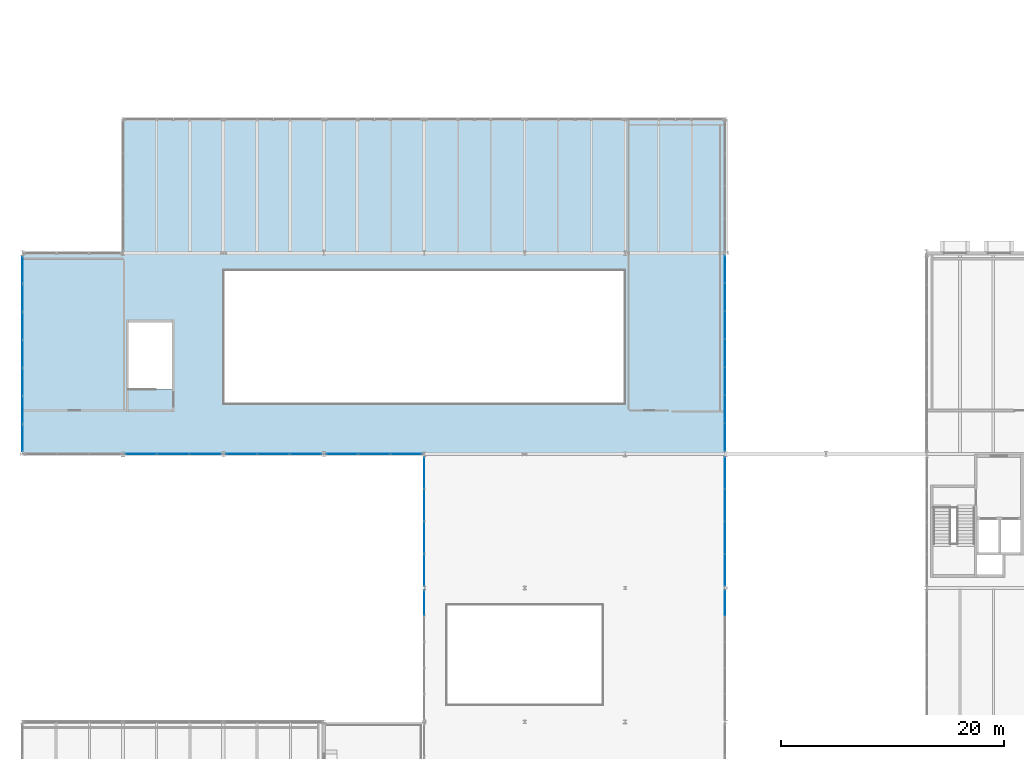
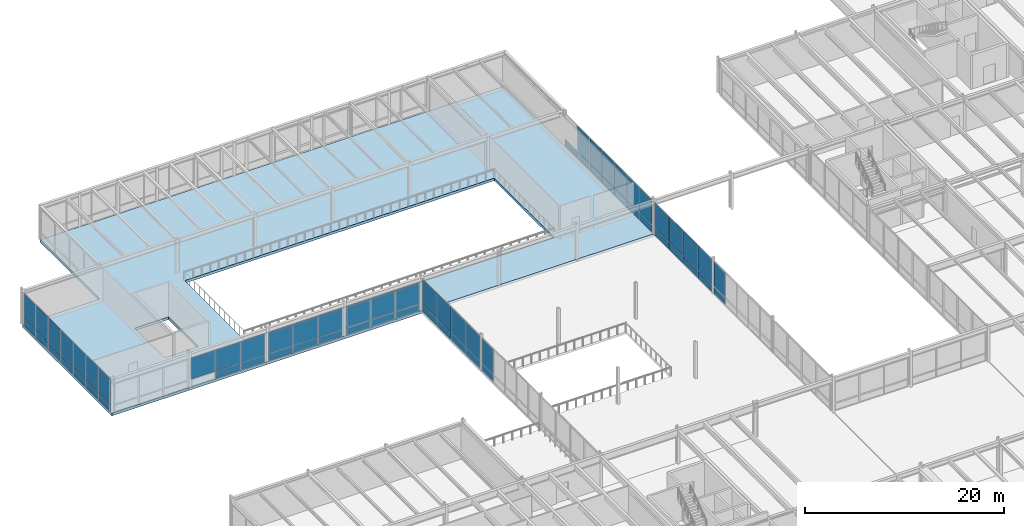
# One storey, part 93 of 115: 64 plates, 1 slab, 9 elements without a shape of their own.
"""IFC4 building model written with IfcOpenShell, lengths in metres."""

from ifc_helpers import new_model, si_unit, direction, frame, origin, origin_2d, place, context, subcontext, project, spatial, polyline, rectangle, outline, extrude, material, layer, layer_set, type_object, element, aggregate, save


model = new_model("IFC4")

# Units and contexts
model_context = context("Model", 3, precision=1e-05, world=origin(), true_north=direction((0.0, 1.0)))
body_context = subcontext(model_context, "Body", "Model", "MODEL_VIEW")
ifc_project = project(units=[si_unit("LENGTHUNIT", "METRE"), si_unit("AREAUNIT", "SQUARE_METRE"), si_unit("VOLUMEUNIT", "CUBIC_METRE"), si_unit("PLANEANGLEUNIT", "RADIAN"), si_unit("MASSUNIT", "GRAM", prefix="KILO")], contexts=[model_context])

# Site, building, storey
site_placement = place(None, origin())
site = spatial("IfcSite", under=ifc_project, at=site_placement, CompositionType="ELEMENT")
building_placement = place(site_placement, origin())
building = spatial("IfcBuilding", under=site, at=building_placement, Name="Montelvaro Courts of Justice", CompositionType="ELEMENT")
storey_placement = place(building_placement, frame((0.0, 0.0, 9.89990234375)))
storey = spatial("IfcBuildingStorey", under=building, at=storey_placement, Name="L02", CompositionType="ELEMENT", Elevation=9.89990234375)

# Curtain wall, plates
ifc_material_1 = material(Name="Anodised aluminium EN AW-6063", Category="aluminium")
ifc_layer_1 = layer(ifc_material_1, 0.159912109375)
ifc_layer_set_1 = layer_set([ifc_layer_1], Name="Anodised aluminium EN AW-6063")
curtain_wall_type_1 = type_object("IfcCurtainWallType", Name="CurtainWall_14_867x418", PredefinedType="USERDEFINED", material=ifc_layer_set_1)
curtain_wall_1_placement = place(storey_placement, origin())
curtain_wall_1 = element("IfcCurtainWall", 1, at=curtain_wall_1_placement, inside=storey, type_object=curtain_wall_type_1, Name="Curtain Wall CW-14 (L02)", ObjectType="CURTAIN WALL", PredefinedType="USERDEFINED")
ifc_material_2 = material(Name="Low-E solar control double glazing", Category="glass")
ifc_layer_2 = layer(ifc_material_2, 0.028076171875)
ifc_layer_set_2 = layer_set([ifc_layer_2], Name="Low-E solar control double glazing")
plate_type = type_object("IfcPlateType", Name="CurtainWall_Glazed_Panel_28", PredefinedType="CURTAIN_PANEL", material=ifc_layer_set_2)
plate_1_placement = place(storey_placement, frame((28.626220703125, 78.0, 0.97998046875), z_axis=(0.0, 0.0, 1.0), x_axis=(1.0, 0.0, 0.0)))
plate_1 = element("IfcPlate", 2, at=plate_1_placement, type_object=plate_type, Name="CW-14 panel 1.2", PredefinedType="CURTAIN_PANEL", context=body_context, shape_type="SweptSolid", body=[
    extrude(rectangle(XDim=2.79248046875, YDim=0.028076171875, at=origin_2d()), origin(), (0.0, 0.0, 1.0), 2.554931640625),
])
plate_2_placement = place(storey_placement, frame((31.5, 78.0, 0.06005859375), z_axis=(0.0, 0.0, 1.0), x_axis=(1.0, 0.0, 0.0)))
plate_2 = element("IfcPlate", 3, at=plate_2_placement, type_object=plate_type, Name="CW-14 panel 2.1", PredefinedType="CURTAIN_PANEL", context=body_context, shape_type="SweptSolid", body=[
    extrude(rectangle(XDim=2.824951171875, YDim=0.028076171875, at=origin_2d()), origin(), (0.0, 0.0, 1.0), 0.860107421875),
])
plate_3_placement = place(storey_placement, frame((31.5, 78.0, 0.97998046875), z_axis=(0.0, 0.0, 1.0), x_axis=(1.0, 0.0, 0.0)))
plate_3 = element("IfcPlate", 4, at=plate_3_placement, type_object=plate_type, Name="CW-14 panel 2.2", PredefinedType="CURTAIN_PANEL", context=body_context, shape_type="SweptSolid", body=[
    extrude(rectangle(XDim=2.824951171875, YDim=0.028076171875, at=origin_2d()), origin(), (0.0, 0.0, 1.0), 2.554931640625),
])
plate_4_placement = place(storey_placement, frame((34.373779296875, 78.0, 0.06005859375), z_axis=(0.0, 0.0, 1.0), x_axis=(1.0, 0.0, 0.0)))
plate_4 = element("IfcPlate", 5, at=plate_4_placement, type_object=plate_type, Name="CW-14 panel 3.1", PredefinedType="CURTAIN_PANEL", context=body_context, shape_type="SweptSolid", body=[
    extrude(rectangle(XDim=2.79248046875, YDim=0.028076171875, at=origin_2d()), origin(), (0.0, 0.0, 1.0), 0.860107421875),
])
plate_5_placement = place(storey_placement, frame((34.373779296875, 78.0, 0.97998046875), z_axis=(0.0, 0.0, 1.0), x_axis=(1.0, 0.0, 0.0)))
plate_5 = element("IfcPlate", 6, at=plate_5_placement, type_object=plate_type, Name="CW-14 panel 3.2", PredefinedType="CURTAIN_PANEL", context=body_context, shape_type="SweptSolid", body=[
    extrude(rectangle(XDim=2.79248046875, YDim=0.028076171875, at=origin_2d()), origin(), (0.0, 0.0, 1.0), 2.554931640625),
])
aggregate(curtain_wall_1, [plate_1, plate_2, plate_3, plate_4, plate_5])

curtain_wall_2_placement = place(storey_placement, origin())
curtain_wall_2 = element("IfcCurtainWall", 7, at=curtain_wall_2_placement, inside=storey, type_object=curtain_wall_type_1, Name="Curtain Wall CW-14 (L02)", ObjectType="CURTAIN WALL", PredefinedType="USERDEFINED")
plate_6_placement = place(storey_placement, frame((37.628662109375, 78.0, 0.0751953125), z_axis=(0.0, 0.0, 1.0), x_axis=(1.0, 0.0, 0.0)))
plate_6 = element("IfcPlate", 8, at=plate_6_placement, type_object=plate_type, Name="CW-14 panel 1.1", PredefinedType="CURTAIN_PANEL", context=body_context, shape_type="SweptSolid", body=[
    extrude(rectangle(XDim=2.777587890625, YDim=0.028076171875, at=origin_2d()), origin(), (0.0, 0.0, 1.0), 0.83740234375),
])
plate_7_placement = place(storey_placement, frame((37.628662109375, 78.0, 0.98779296875), z_axis=(0.0, 0.0, 1.0), x_axis=(1.0, 0.0, 0.0)))
plate_7 = element("IfcPlate", 9, at=plate_7_placement, type_object=plate_type, Name="CW-14 panel 1.2", PredefinedType="CURTAIN_PANEL", context=body_context, shape_type="SweptSolid", body=[
    extrude(rectangle(XDim=2.777587890625, YDim=0.028076171875, at=origin_2d()), origin(), (0.0, 0.0, 1.0), 2.532470703125),
])
plate_8_placement = place(storey_placement, frame((40.5, 78.0, 0.0751953125), z_axis=(0.0, 0.0, 1.0), x_axis=(1.0, 0.0, 0.0)))
plate_8 = element("IfcPlate", 10, at=plate_8_placement, type_object=plate_type, Name="CW-14 panel 2.1", PredefinedType="CURTAIN_PANEL", context=body_context, shape_type="SweptSolid", body=[
    extrude(rectangle(XDim=2.81494140625, YDim=0.028076171875, at=origin_2d()), origin(), (0.0, 0.0, 1.0), 0.83740234375),
])
plate_9_placement = place(storey_placement, frame((40.5, 78.0, 0.98779296875), z_axis=(0.0, 0.0, 1.0), x_axis=(1.0, 0.0, 0.0)))
plate_9 = element("IfcPlate", 11, at=plate_9_placement, type_object=plate_type, Name="CW-14 panel 2.2", PredefinedType="CURTAIN_PANEL", context=body_context, shape_type="SweptSolid", body=[
    extrude(rectangle(XDim=2.81494140625, YDim=0.028076171875, at=origin_2d()), origin(), (0.0, 0.0, 1.0), 2.532470703125),
])
plate_10_placement = place(storey_placement, frame((43.371337890625, 78.0, 0.0751953125), z_axis=(0.0, 0.0, 1.0), x_axis=(1.0, 0.0, 0.0)))
plate_10 = element("IfcPlate", 12, at=plate_10_placement, type_object=plate_type, Name="CW-14 panel 3.1", PredefinedType="CURTAIN_PANEL", context=body_context, shape_type="SweptSolid", body=[
    extrude(rectangle(XDim=2.777587890625, YDim=0.028076171875, at=origin_2d()), origin(), (0.0, 0.0, 1.0), 0.83740234375),
])
plate_11_placement = place(storey_placement, frame((43.371337890625, 78.0, 0.98779296875), z_axis=(0.0, 0.0, 1.0), x_axis=(1.0, 0.0, 0.0)))
plate_11 = element("IfcPlate", 13, at=plate_11_placement, type_object=plate_type, Name="CW-14 panel 3.2", PredefinedType="CURTAIN_PANEL", context=body_context, shape_type="SweptSolid", body=[
    extrude(rectangle(XDim=2.777587890625, YDim=0.028076171875, at=origin_2d()), origin(), (0.0, 0.0, 1.0), 2.532470703125),
])
aggregate(curtain_wall_2, [plate_6, plate_7, plate_8, plate_9, plate_10, plate_11])

curtain_wall_3_placement = place(storey_placement, origin())
curtain_wall_3 = element("IfcCurtainWall", 14, at=curtain_wall_3_placement, inside=storey, type_object=curtain_wall_type_1, Name="Curtain Wall CW-14 (L02)", ObjectType="CURTAIN WALL", PredefinedType="USERDEFINED")
plate_12_placement = place(storey_placement, frame((46.628662109375, 78.0, 0.0751953125), z_axis=(0.0, 0.0, 1.0), x_axis=(1.0, 0.0, 0.0)))
plate_12 = element("IfcPlate", 15, at=plate_12_placement, type_object=plate_type, Name="CW-14 panel 1.1", PredefinedType="CURTAIN_PANEL", context=body_context, shape_type="SweptSolid", body=[
    extrude(rectangle(XDim=2.777587890625, YDim=0.028076171875, at=origin_2d()), origin(), (0.0, 0.0, 1.0), 0.83740234375),
])
plate_13_placement = place(storey_placement, frame((46.628662109375, 78.0, 0.98779296875), z_axis=(0.0, 0.0, 1.0), x_axis=(1.0, 0.0, 0.0)))
plate_13 = element("IfcPlate", 16, at=plate_13_placement, type_object=plate_type, Name="CW-14 panel 1.2", PredefinedType="CURTAIN_PANEL", context=body_context, shape_type="SweptSolid", body=[
    extrude(rectangle(XDim=2.777587890625, YDim=0.028076171875, at=origin_2d()), origin(), (0.0, 0.0, 1.0), 2.532470703125),
])
plate_14_placement = place(storey_placement, frame((49.5, 78.0, 0.0751953125), z_axis=(0.0, 0.0, 1.0), x_axis=(1.0, 0.0, 0.0)))
plate_14 = element("IfcPlate", 17, at=plate_14_placement, type_object=plate_type, Name="CW-14 panel 2.1", PredefinedType="CURTAIN_PANEL", context=body_context, shape_type="SweptSolid", body=[
    extrude(rectangle(XDim=2.81494140625, YDim=0.028076171875, at=origin_2d()), origin(), (0.0, 0.0, 1.0), 0.83740234375),
])
plate_15_placement = place(storey_placement, frame((49.5, 78.0, 0.98779296875), z_axis=(0.0, 0.0, 1.0), x_axis=(1.0, 0.0, 0.0)))
plate_15 = element("IfcPlate", 18, at=plate_15_placement, type_object=plate_type, Name="CW-14 panel 2.2", PredefinedType="CURTAIN_PANEL", context=body_context, shape_type="SweptSolid", body=[
    extrude(rectangle(XDim=2.81494140625, YDim=0.028076171875, at=origin_2d()), origin(), (0.0, 0.0, 1.0), 2.532470703125),
])
plate_16_placement = place(storey_placement, frame((52.371337890625, 78.0, 0.0751953125), z_axis=(0.0, 0.0, 1.0), x_axis=(1.0, 0.0, 0.0)))
plate_16 = element("IfcPlate", 19, at=plate_16_placement, type_object=plate_type, Name="CW-14 panel 3.1", PredefinedType="CURTAIN_PANEL", context=body_context, shape_type="SweptSolid", body=[
    extrude(rectangle(XDim=2.777587890625, YDim=0.028076171875, at=origin_2d()), origin(), (0.0, 0.0, 1.0), 0.83740234375),
])
plate_17_placement = place(storey_placement, frame((52.371337890625, 78.0, 0.98779296875), z_axis=(0.0, 0.0, 1.0), x_axis=(1.0, 0.0, 0.0)))
plate_17 = element("IfcPlate", 20, at=plate_17_placement, type_object=plate_type, Name="CW-14 panel 3.2", PredefinedType="CURTAIN_PANEL", context=body_context, shape_type="SweptSolid", body=[
    extrude(rectangle(XDim=2.777587890625, YDim=0.028076171875, at=origin_2d()), origin(), (0.0, 0.0, 1.0), 2.532470703125),
])
aggregate(curtain_wall_3, [plate_12, plate_13, plate_14, plate_15, plate_16, plate_17])

ifc_layer_3 = layer(ifc_material_1, 0.159912109375)
ifc_layer_set_3 = layer_set([ifc_layer_3], Name="Anodised aluminium EN AW-6063")
curtain_wall_type_2 = type_object("IfcCurtainWallType", Name="CurtainWall_22_1761x418", PredefinedType="USERDEFINED", material=ifc_layer_set_3)
curtain_wall_4_placement = place(storey_placement, origin())
curtain_wall_4 = element("IfcCurtainWall", 21, at=curtain_wall_4_placement, inside=storey, type_object=curtain_wall_type_2, Name="Curtain Wall CW-22 (L02)", ObjectType="CURTAIN WALL", PredefinedType="USERDEFINED")
plate_18_placement = place(storey_placement, frame((80.949951171875, 79.51171875, 0.06005859375), z_axis=(0.0, 0.0, 1.0), x_axis=(0.0, 1.0, 0.0)))
plate_18 = element("IfcPlate", 22, at=plate_18_placement, type_object=plate_type, Name="CW-22 panel 1.1", PredefinedType="CURTAIN_PANEL", context=body_context, shape_type="SweptSolid", body=[
    extrude(rectangle(XDim=2.423583984375, YDim=0.028076171875, at=origin_2d()), origin(), (0.0, 0.0, 1.0), 0.860107421875),
])
plate_19_placement = place(storey_placement, frame((80.949951171875, 79.51171875, 0.97998046875), z_axis=(0.0, 0.0, 1.0), x_axis=(0.0, 1.0, 0.0)))
plate_19 = element("IfcPlate", 23, at=plate_19_placement, type_object=plate_type, Name="CW-22 panel 1.2", PredefinedType="CURTAIN_PANEL", context=body_context, shape_type="SweptSolid", body=[
    extrude(rectangle(XDim=2.423583984375, YDim=0.028076171875, at=origin_2d()), origin(), (0.0, 0.0, 1.0), 3.080078125),
])
plate_20_placement = place(storey_placement, frame((80.949951171875, 82.01025390625, 0.06005859375), z_axis=(0.0, 0.0, 1.0), x_axis=(0.0, 1.0, 0.0)))
plate_20 = element("IfcPlate", 24, at=plate_20_placement, type_object=plate_type, Name="CW-22 panel 2.1", PredefinedType="CURTAIN_PANEL", context=body_context, shape_type="SweptSolid", body=[
    extrude(rectangle(XDim=2.45361328125, YDim=0.028076171875, at=origin_2d()), origin(), (0.0, 0.0, 1.0), 0.860107421875),
])
plate_21_placement = place(storey_placement, frame((80.949951171875, 82.01025390625, 0.97998046875), z_axis=(0.0, 0.0, 1.0), x_axis=(0.0, 1.0, 0.0)))
plate_21 = element("IfcPlate", 25, at=plate_21_placement, type_object=plate_type, Name="CW-22 panel 2.2", PredefinedType="CURTAIN_PANEL", context=body_context, shape_type="SweptSolid", body=[
    extrude(rectangle(XDim=2.45361328125, YDim=0.028076171875, at=origin_2d()), origin(), (0.0, 0.0, 1.0), 3.080078125),
])
plate_22_placement = place(storey_placement, frame((80.949951171875, 84.52392578125, 0.06005859375), z_axis=(0.0, 0.0, 1.0), x_axis=(0.0, 1.0, 0.0)))
plate_22 = element("IfcPlate", 26, at=plate_22_placement, type_object=plate_type, Name="CW-22 panel 3.1", PredefinedType="CURTAIN_PANEL", context=body_context, shape_type="SweptSolid", body=[
    extrude(rectangle(XDim=2.45361328125, YDim=0.028076171875, at=origin_2d()), origin(), (0.0, 0.0, 1.0), 0.860107421875),
])
plate_23_placement = place(storey_placement, frame((80.949951171875, 84.52392578125, 0.97998046875), z_axis=(0.0, 0.0, 1.0), x_axis=(0.0, 1.0, 0.0)))
plate_23 = element("IfcPlate", 27, at=plate_23_placement, type_object=plate_type, Name="CW-22 panel 3.2", PredefinedType="CURTAIN_PANEL", context=body_context, shape_type="SweptSolid", body=[
    extrude(rectangle(XDim=2.45361328125, YDim=0.028076171875, at=origin_2d()), origin(), (0.0, 0.0, 1.0), 3.080078125),
])
plate_24_placement = place(storey_placement, frame((80.949951171875, 87.03759765625, 0.06005859375), z_axis=(0.0, 0.0, 1.0), x_axis=(0.0, 1.0, 0.0)))
plate_24 = element("IfcPlate", 28, at=plate_24_placement, type_object=plate_type, Name="CW-22 panel 4.1", PredefinedType="CURTAIN_PANEL", context=body_context, shape_type="SweptSolid", body=[
    extrude(rectangle(XDim=2.45361328125, YDim=0.028076171875, at=origin_2d()), origin(), (0.0, 0.0, 1.0), 0.860107421875),
])
plate_25_placement = place(storey_placement, frame((80.949951171875, 87.03759765625, 0.97998046875), z_axis=(0.0, 0.0, 1.0), x_axis=(0.0, 1.0, 0.0)))
plate_25 = element("IfcPlate", 29, at=plate_25_placement, type_object=plate_type, Name="CW-22 panel 4.2", PredefinedType="CURTAIN_PANEL", context=body_context, shape_type="SweptSolid", body=[
    extrude(rectangle(XDim=2.45361328125, YDim=0.028076171875, at=origin_2d()), origin(), (0.0, 0.0, 1.0), 3.080078125),
])
plate_26_placement = place(storey_placement, frame((80.949951171875, 89.551025390625, 0.06005859375), z_axis=(0.0, 0.0, 1.0), x_axis=(0.0, 1.0, 0.0)))
plate_26 = element("IfcPlate", 30, at=plate_26_placement, type_object=plate_type, Name="CW-22 panel 5.1", PredefinedType="CURTAIN_PANEL", context=body_context, shape_type="SweptSolid", body=[
    extrude(rectangle(XDim=2.45361328125, YDim=0.028076171875, at=origin_2d()), origin(), (0.0, 0.0, 1.0), 0.860107421875),
])
plate_27_placement = place(storey_placement, frame((80.949951171875, 89.551025390625, 0.97998046875), z_axis=(0.0, 0.0, 1.0), x_axis=(0.0, 1.0, 0.0)))
plate_27 = element("IfcPlate", 31, at=plate_27_placement, type_object=plate_type, Name="CW-22 panel 5.2", PredefinedType="CURTAIN_PANEL", context=body_context, shape_type="SweptSolid", body=[
    extrude(rectangle(XDim=2.45361328125, YDim=0.028076171875, at=origin_2d()), origin(), (0.0, 0.0, 1.0), 3.080078125),
])
plate_28_placement = place(storey_placement, frame((80.949951171875, 92.064697265625, 0.06005859375), z_axis=(0.0, 0.0, 1.0), x_axis=(0.0, 1.0, 0.0)))
plate_28 = element("IfcPlate", 32, at=plate_28_placement, type_object=plate_type, Name="CW-22 panel 6.1", PredefinedType="CURTAIN_PANEL", context=body_context, shape_type="SweptSolid", body=[
    extrude(rectangle(XDim=2.45361328125, YDim=0.028076171875, at=origin_2d()), origin(), (0.0, 0.0, 1.0), 0.860107421875),
])
plate_29_placement = place(storey_placement, frame((80.949951171875, 92.064697265625, 0.97998046875), z_axis=(0.0, 0.0, 1.0), x_axis=(0.0, 1.0, 0.0)))
plate_29 = element("IfcPlate", 33, at=plate_29_placement, type_object=plate_type, Name="CW-22 panel 6.2", PredefinedType="CURTAIN_PANEL", context=body_context, shape_type="SweptSolid", body=[
    extrude(rectangle(XDim=2.45361328125, YDim=0.028076171875, at=origin_2d()), origin(), (0.0, 0.0, 1.0), 3.080078125),
])
plate_30_placement = place(storey_placement, frame((80.949951171875, 94.563232421875, 0.06005859375), z_axis=(0.0, 0.0, 1.0), x_axis=(0.0, 1.0, 0.0)))
plate_30 = element("IfcPlate", 34, at=plate_30_placement, type_object=plate_type, Name="CW-22 panel 7.1", PredefinedType="CURTAIN_PANEL", context=body_context, shape_type="SweptSolid", body=[
    extrude(rectangle(XDim=2.423583984375, YDim=0.028076171875, at=origin_2d()), origin(), (0.0, 0.0, 1.0), 0.860107421875),
])
aggregate(curtain_wall_4, [plate_18, plate_19, plate_20, plate_21, plate_22, plate_23, plate_24, plate_25, plate_26, plate_27, plate_28, plate_29, plate_30])

curtain_wall_5_placement = place(storey_placement, origin())
curtain_wall_5 = element("IfcCurtainWall", 35, at=curtain_wall_5_placement, inside=storey, type_object=curtain_wall_type_2, Name="Curtain Wall CW-22 (L02)", ObjectType="CURTAIN WALL", PredefinedType="USERDEFINED")
plate_31_placement = place(storey_placement, frame((18.0, 94.484375, 0.06005859375), z_axis=(0.0, 0.0, 1.0), x_axis=(0.0, -1.0, 0.0)))
plate_31 = element("IfcPlate", 36, at=plate_31_placement, type_object=plate_type, Name="CW-22 panel 1.1", PredefinedType="CURTAIN_PANEL", context=body_context, shape_type="SweptSolid", body=[
    extrude(rectangle(XDim=2.401123046875, YDim=0.028076171875, at=origin_2d()), origin(), (0.0, 0.0, 1.0), 0.860107421875),
])
plate_32_placement = place(storey_placement, frame((18.0, 94.484375, 0.97998046875), z_axis=(0.0, 0.0, 1.0), x_axis=(0.0, -1.0, 0.0)))
plate_32 = element("IfcPlate", 37, at=plate_32_placement, type_object=plate_type, Name="CW-22 panel 1.2", PredefinedType="CURTAIN_PANEL", context=body_context, shape_type="SweptSolid", body=[
    extrude(rectangle(XDim=2.401123046875, YDim=0.028076171875, at=origin_2d()), origin(), (0.0, 0.0, 1.0), 3.080078125),
])
plate_33_placement = place(storey_placement, frame((18.0, 91.98974609375, 0.06005859375), z_axis=(0.0, 0.0, 1.0), x_axis=(0.0, -1.0, 0.0)))
plate_33 = element("IfcPlate", 38, at=plate_33_placement, type_object=plate_type, Name="CW-22 panel 2.1", PredefinedType="CURTAIN_PANEL", context=body_context, shape_type="SweptSolid", body=[
    extrude(rectangle(XDim=2.4384765625, YDim=0.028076171875, at=origin_2d()), origin(), (0.0, 0.0, 1.0), 0.860107421875),
])
plate_34_placement = place(storey_placement, frame((18.0, 91.98974609375, 0.97998046875), z_axis=(0.0, 0.0, 1.0), x_axis=(0.0, -1.0, 0.0)))
plate_34 = element("IfcPlate", 39, at=plate_34_placement, type_object=plate_type, Name="CW-22 panel 2.2", PredefinedType="CURTAIN_PANEL", context=body_context, shape_type="SweptSolid", body=[
    extrude(rectangle(XDim=2.4384765625, YDim=0.028076171875, at=origin_2d()), origin(), (0.0, 0.0, 1.0), 3.080078125),
])
plate_35_placement = place(storey_placement, frame((18.0, 89.47607421875, 0.06005859375), z_axis=(0.0, 0.0, 1.0), x_axis=(0.0, -1.0, 0.0)))
plate_35 = element("IfcPlate", 40, at=plate_35_placement, type_object=plate_type, Name="CW-22 panel 3.1", PredefinedType="CURTAIN_PANEL", context=body_context, shape_type="SweptSolid", body=[
    extrude(rectangle(XDim=2.4384765625, YDim=0.028076171875, at=origin_2d()), origin(), (0.0, 0.0, 1.0), 0.860107421875),
])
plate_36_placement = place(storey_placement, frame((18.0, 89.47607421875, 0.97998046875), z_axis=(0.0, 0.0, 1.0), x_axis=(0.0, -1.0, 0.0)))
plate_36 = element("IfcPlate", 41, at=plate_36_placement, type_object=plate_type, Name="CW-22 panel 3.2", PredefinedType="CURTAIN_PANEL", context=body_context, shape_type="SweptSolid", body=[
    extrude(rectangle(XDim=2.4384765625, YDim=0.028076171875, at=origin_2d()), origin(), (0.0, 0.0, 1.0), 3.080078125),
])
plate_37_placement = place(storey_placement, frame((18.0, 86.96240234375, 0.06005859375), z_axis=(0.0, 0.0, 1.0), x_axis=(0.0, -1.0, 0.0)))
plate_37 = element("IfcPlate", 42, at=plate_37_placement, type_object=plate_type, Name="CW-22 panel 4.1", PredefinedType="CURTAIN_PANEL", context=body_context, shape_type="SweptSolid", body=[
    extrude(rectangle(XDim=2.4384765625, YDim=0.028076171875, at=origin_2d()), origin(), (0.0, 0.0, 1.0), 0.860107421875),
])
plate_38_placement = place(storey_placement, frame((18.0, 86.96240234375, 0.97998046875), z_axis=(0.0, 0.0, 1.0), x_axis=(0.0, -1.0, 0.0)))
plate_38 = element("IfcPlate", 43, at=plate_38_placement, type_object=plate_type, Name="CW-22 panel 4.2", PredefinedType="CURTAIN_PANEL", context=body_context, shape_type="SweptSolid", body=[
    extrude(rectangle(XDim=2.4384765625, YDim=0.028076171875, at=origin_2d()), origin(), (0.0, 0.0, 1.0), 3.080078125),
])
plate_39_placement = place(storey_placement, frame((18.0, 84.448974609375, 0.06005859375), z_axis=(0.0, 0.0, 1.0), x_axis=(0.0, -1.0, 0.0)))
plate_39 = element("IfcPlate", 44, at=plate_39_placement, type_object=plate_type, Name="CW-22 panel 5.1", PredefinedType="CURTAIN_PANEL", context=body_context, shape_type="SweptSolid", body=[
    extrude(rectangle(XDim=2.4384765625, YDim=0.028076171875, at=origin_2d()), origin(), (0.0, 0.0, 1.0), 0.860107421875),
])
plate_40_placement = place(storey_placement, frame((18.0, 84.448974609375, 0.97998046875), z_axis=(0.0, 0.0, 1.0), x_axis=(0.0, -1.0, 0.0)))
plate_40 = element("IfcPlate", 45, at=plate_40_placement, type_object=plate_type, Name="CW-22 panel 5.2", PredefinedType="CURTAIN_PANEL", context=body_context, shape_type="SweptSolid", body=[
    extrude(rectangle(XDim=2.4384765625, YDim=0.028076171875, at=origin_2d()), origin(), (0.0, 0.0, 1.0), 3.080078125),
])
plate_41_placement = place(storey_placement, frame((18.0, 81.935302734375, 0.06005859375), z_axis=(0.0, 0.0, 1.0), x_axis=(0.0, -1.0, 0.0)))
plate_41 = element("IfcPlate", 46, at=plate_41_placement, type_object=plate_type, Name="CW-22 panel 6.1", PredefinedType="CURTAIN_PANEL", context=body_context, shape_type="SweptSolid", body=[
    extrude(rectangle(XDim=2.4384765625, YDim=0.028076171875, at=origin_2d()), origin(), (0.0, 0.0, 1.0), 0.860107421875),
])
plate_42_placement = place(storey_placement, frame((18.0, 81.935302734375, 0.97998046875), z_axis=(0.0, 0.0, 1.0), x_axis=(0.0, -1.0, 0.0)))
plate_42 = element("IfcPlate", 47, at=plate_42_placement, type_object=plate_type, Name="CW-22 panel 6.2", PredefinedType="CURTAIN_PANEL", context=body_context, shape_type="SweptSolid", body=[
    extrude(rectangle(XDim=2.4384765625, YDim=0.028076171875, at=origin_2d()), origin(), (0.0, 0.0, 1.0), 3.080078125),
])
plate_43_placement = place(storey_placement, frame((18.0, 79.4404296875, 0.06005859375), z_axis=(0.0, 0.0, 1.0), x_axis=(0.0, -1.0, 0.0)))
plate_43 = element("IfcPlate", 48, at=plate_43_placement, type_object=plate_type, Name="CW-22 panel 7.1", PredefinedType="CURTAIN_PANEL", context=body_context, shape_type="SweptSolid", body=[
    extrude(rectangle(XDim=2.401123046875, YDim=0.028076171875, at=origin_2d()), origin(), (0.0, 0.0, 1.0), 0.860107421875),
])
plate_44_placement = place(storey_placement, frame((18.0, 79.4404296875, 0.97998046875), z_axis=(0.0, 0.0, 1.0), x_axis=(0.0, -1.0, 0.0)))
plate_44 = element("IfcPlate", 49, at=plate_44_placement, type_object=plate_type, Name="CW-22 panel 7.2", PredefinedType="CURTAIN_PANEL", context=body_context, shape_type="SweptSolid", body=[
    extrude(rectangle(XDim=2.401123046875, YDim=0.028076171875, at=origin_2d()), origin(), (0.0, 0.0, 1.0), 3.080078125),
])
aggregate(curtain_wall_5, [plate_31, plate_32, plate_33, plate_34, plate_35, plate_36, plate_37, plate_38, plate_39, plate_40, plate_41, plate_42, plate_43, plate_44])

ifc_layer_4 = layer(ifc_material_1, 0.159912109375)
ifc_layer_set_4 = layer_set([ifc_layer_4], Name="Anodised aluminium EN AW-6063")
curtain_wall_type_3 = type_object("IfcCurtainWallType", Name="CurtainWall_24_1169x418", PredefinedType="USERDEFINED", material=ifc_layer_set_4)
curtain_wall_6_placement = place(storey_placement, origin())
curtain_wall_6 = element("IfcCurtainWall", 50, at=curtain_wall_6_placement, inside=storey, type_object=curtain_wall_type_3, Name="Curtain Wall CW-24 (L02)", ObjectType="CURTAIN WALL", PredefinedType="USERDEFINED")
plate_45_placement = place(storey_placement, frame((80.949951171875, 64.6689453125, 0.0751953125), z_axis=(0.0, 0.0, 1.0), x_axis=(0.0, 1.0, 0.0)))
plate_45 = element("IfcPlate", 51, at=plate_45_placement, type_object=plate_type, Name="CW-24 panel 5.1", PredefinedType="CURTAIN_PANEL", context=body_context, shape_type="SweptSolid", body=[
    extrude(rectangle(XDim=2.251953125, YDim=0.028076171875, at=origin_2d()), origin(), (0.0, 0.0, 1.0), 0.83740234375),
])
plate_46_placement = place(storey_placement, frame((80.949951171875, 64.6689453125, 0.987548828125), z_axis=(0.0, 0.0, 1.0), x_axis=(0.0, 1.0, 0.0)))
plate_46 = element("IfcPlate", 52, at=plate_46_placement, type_object=plate_type, Name="CW-24 panel 5.2", PredefinedType="CURTAIN_PANEL", context=body_context, shape_type="SweptSolid", body=[
    extrude(rectangle(XDim=2.251953125, YDim=0.028076171875, at=origin_2d()), origin(), (0.0, 0.0, 1.0), 3.0576171875),
])
aggregate(curtain_wall_6, [plate_45, plate_46])

ifc_layer_5 = layer(ifc_material_1, 0.159912109375)
ifc_layer_set_5 = layer_set([ifc_layer_5], Name="Anodised aluminium EN AW-6063")
curtain_wall_type_4 = type_object("IfcCurtainWallType", Name="CurtainWall_19_1159x418", PredefinedType="USERDEFINED", material=ifc_layer_set_5)
curtain_wall_7_placement = place(storey_placement, origin())
curtain_wall_7 = element("IfcCurtainWall", 53, at=curtain_wall_7_placement, inside=storey, type_object=curtain_wall_type_4, Name="Curtain Wall CW-19 (L02)", ObjectType="CURTAIN WALL", PredefinedType="USERDEFINED")
plate_47_placement = place(storey_placement, frame((80.949951171875, 67.61181640625, 0.06005859375), z_axis=(0.0, 0.0, 1.0), x_axis=(0.0, 1.0, 0.0)))
plate_47 = element("IfcPlate", 54, at=plate_47_placement, type_object=plate_type, Name="CW-19 panel 1.1", PredefinedType="CURTAIN_PANEL", context=body_context, shape_type="SweptSolid", body=[
    extrude(rectangle(XDim=2.813720703125, YDim=0.028076171875, at=origin_2d()), origin(), (0.0, 0.0, 1.0), 0.860107421875),
])
plate_48_placement = place(storey_placement, frame((80.949951171875, 67.61181640625, 0.97998046875), z_axis=(0.0, 0.0, 1.0), x_axis=(0.0, 1.0, 0.0)))
plate_48 = element("IfcPlate", 55, at=plate_48_placement, type_object=plate_type, Name="CW-19 panel 1.2", PredefinedType="CURTAIN_PANEL", context=body_context, shape_type="SweptSolid", body=[
    extrude(rectangle(XDim=2.813720703125, YDim=0.028076171875, at=origin_2d()), origin(), (0.0, 0.0, 1.0), 3.080078125),
])
plate_49_placement = place(storey_placement, frame((80.949951171875, 70.500732421875, 0.06005859375), z_axis=(0.0, 0.0, 1.0), x_axis=(0.0, 1.0, 0.0)))
plate_49 = element("IfcPlate", 56, at=plate_49_placement, type_object=plate_type, Name="CW-19 panel 2.1", PredefinedType="CURTAIN_PANEL", context=body_context, shape_type="SweptSolid", body=[
    extrude(rectangle(XDim=2.84375, YDim=0.028076171875, at=origin_2d()), origin(), (0.0, 0.0, 1.0), 0.860107421875),
])
plate_50_placement = place(storey_placement, frame((80.949951171875, 70.500732421875, 0.97998046875), z_axis=(0.0, 0.0, 1.0), x_axis=(0.0, 1.0, 0.0)))
plate_50 = element("IfcPlate", 57, at=plate_50_placement, type_object=plate_type, Name="CW-19 panel 2.2", PredefinedType="CURTAIN_PANEL", context=body_context, shape_type="SweptSolid", body=[
    extrude(rectangle(XDim=2.84375, YDim=0.028076171875, at=origin_2d()), origin(), (0.0, 0.0, 1.0), 3.080078125),
])
plate_51_placement = place(storey_placement, frame((80.949951171875, 73.404296875, 0.06005859375), z_axis=(0.0, 0.0, 1.0), x_axis=(0.0, 1.0, 0.0)))
plate_51 = element("IfcPlate", 58, at=plate_51_placement, type_object=plate_type, Name="CW-19 panel 3.1", PredefinedType="CURTAIN_PANEL", context=body_context, shape_type="SweptSolid", body=[
    extrude(rectangle(XDim=2.84375, YDim=0.028076171875, at=origin_2d()), origin(), (0.0, 0.0, 1.0), 0.860107421875),
])
plate_52_placement = place(storey_placement, frame((80.949951171875, 73.404296875, 0.97998046875), z_axis=(0.0, 0.0, 1.0), x_axis=(0.0, 1.0, 0.0)))
plate_52 = element("IfcPlate", 59, at=plate_52_placement, type_object=plate_type, Name="CW-19 panel 3.2", PredefinedType="CURTAIN_PANEL", context=body_context, shape_type="SweptSolid", body=[
    extrude(rectangle(XDim=2.84375, YDim=0.028076171875, at=origin_2d()), origin(), (0.0, 0.0, 1.0), 3.080078125),
])
plate_53_placement = place(storey_placement, frame((80.949951171875, 76.293212890625, 0.06005859375), z_axis=(0.0, 0.0, 1.0), x_axis=(0.0, 1.0, 0.0)))
plate_53 = element("IfcPlate", 60, at=plate_53_placement, type_object=plate_type, Name="CW-19 panel 4.1", PredefinedType="CURTAIN_PANEL", context=body_context, shape_type="SweptSolid", body=[
    extrude(rectangle(XDim=2.813720703125, YDim=0.028076171875, at=origin_2d()), origin(), (0.0, 0.0, 1.0), 0.860107421875),
])
plate_54_placement = place(storey_placement, frame((80.949951171875, 76.293212890625, 0.97998046875), z_axis=(0.0, 0.0, 1.0), x_axis=(0.0, 1.0, 0.0)))
plate_54 = element("IfcPlate", 61, at=plate_54_placement, type_object=plate_type, Name="CW-19 panel 4.2", PredefinedType="CURTAIN_PANEL", context=body_context, shape_type="SweptSolid", body=[
    extrude(rectangle(XDim=2.813720703125, YDim=0.028076171875, at=origin_2d()), origin(), (0.0, 0.0, 1.0), 3.080078125),
])
aggregate(curtain_wall_7, [plate_47, plate_48, plate_49, plate_50, plate_51, plate_52, plate_53, plate_54])

ifc_layer_6 = layer(ifc_material_1, 0.159912109375)
ifc_layer_set_6 = layer_set([ifc_layer_6], Name="Anodised aluminium EN AW-6063")
curtain_wall_type_5 = type_object("IfcCurtainWallType", Name="CurtainWall_16_1165x418", PredefinedType="USERDEFINED", material=ifc_layer_set_6)
curtain_wall_8_placement = place(storey_placement, origin())
curtain_wall_8 = element("IfcCurtainWall", 62, at=curtain_wall_8_placement, inside=storey, type_object=curtain_wall_type_5, Name="Curtain Wall CW-16 (L02)", ObjectType="CURTAIN WALL", PredefinedType="USERDEFINED")
plate_55_placement = place(storey_placement, frame((54.0, 76.31494140625, 0.06005859375), z_axis=(0.0, 0.0, 1.0), x_axis=(0.0, -1.0, 0.0)))
plate_55 = element("IfcPlate", 63, at=plate_55_placement, type_object=plate_type, Name="CW-16 panel 1.1", PredefinedType="CURTAIN_PANEL", context=body_context, shape_type="SweptSolid", body=[
    extrude(rectangle(XDim=2.820068359375, YDim=0.028076171875, at=origin_2d()), origin(), (0.0, 0.0, 1.0), 0.860107421875),
])
plate_56_placement = place(storey_placement, frame((54.0, 76.31494140625, 0.97998046875), z_axis=(0.0, 0.0, 1.0), x_axis=(0.0, -1.0, 0.0)))
plate_56 = element("IfcPlate", 64, at=plate_56_placement, type_object=plate_type, Name="CW-16 panel 1.2", PredefinedType="CURTAIN_PANEL", context=body_context, shape_type="SweptSolid", body=[
    extrude(rectangle(XDim=2.820068359375, YDim=0.028076171875, at=origin_2d()), origin(), (0.0, 0.0, 1.0), 3.080078125),
])
plate_57_placement = place(storey_placement, frame((54.0, 73.419921875, 0.06005859375), z_axis=(0.0, 0.0, 1.0), x_axis=(0.0, -1.0, 0.0)))
plate_57 = element("IfcPlate", 65, at=plate_57_placement, type_object=plate_type, Name="CW-16 panel 2.1", PredefinedType="CURTAIN_PANEL", context=body_context, shape_type="SweptSolid", body=[
    extrude(rectangle(XDim=2.85009765625, YDim=0.028076171875, at=origin_2d()), origin(), (0.0, 0.0, 1.0), 0.860107421875),
])
plate_58_placement = place(storey_placement, frame((54.0, 73.419921875, 0.97998046875), z_axis=(0.0, 0.0, 1.0), x_axis=(0.0, -1.0, 0.0)))
plate_58 = element("IfcPlate", 66, at=plate_58_placement, type_object=plate_type, Name="CW-16 panel 2.2", PredefinedType="CURTAIN_PANEL", context=body_context, shape_type="SweptSolid", body=[
    extrude(rectangle(XDim=2.85009765625, YDim=0.028076171875, at=origin_2d()), origin(), (0.0, 0.0, 1.0), 3.080078125),
])
plate_59_placement = place(storey_placement, frame((54.0, 70.510009765625, 0.06005859375), z_axis=(0.0, 0.0, 1.0), x_axis=(0.0, -1.0, 0.0)))
plate_59 = element("IfcPlate", 67, at=plate_59_placement, type_object=plate_type, Name="CW-16 panel 3.1", PredefinedType="CURTAIN_PANEL", context=body_context, shape_type="SweptSolid", body=[
    extrude(rectangle(XDim=2.85009765625, YDim=0.028076171875, at=origin_2d()), origin(), (0.0, 0.0, 1.0), 0.860107421875),
])
plate_60_placement = place(storey_placement, frame((54.0, 70.510009765625, 0.97998046875), z_axis=(0.0, 0.0, 1.0), x_axis=(0.0, -1.0, 0.0)))
plate_60 = element("IfcPlate", 68, at=plate_60_placement, type_object=plate_type, Name="CW-16 panel 3.2", PredefinedType="CURTAIN_PANEL", context=body_context, shape_type="SweptSolid", body=[
    extrude(rectangle(XDim=2.85009765625, YDim=0.028076171875, at=origin_2d()), origin(), (0.0, 0.0, 1.0), 3.080078125),
])
plate_61_placement = place(storey_placement, frame((54.0, 67.614990234375, 0.06005859375), z_axis=(0.0, 0.0, 1.0), x_axis=(0.0, -1.0, 0.0)))
plate_61 = element("IfcPlate", 69, at=plate_61_placement, type_object=plate_type, Name="CW-16 panel 4.1", PredefinedType="CURTAIN_PANEL", context=body_context, shape_type="SweptSolid", body=[
    extrude(rectangle(XDim=2.820068359375, YDim=0.028076171875, at=origin_2d()), origin(), (0.0, 0.0, 1.0), 0.860107421875),
])
plate_62_placement = place(storey_placement, frame((54.0, 67.614990234375, 0.97998046875), z_axis=(0.0, 0.0, 1.0), x_axis=(0.0, -1.0, 0.0)))
plate_62 = element("IfcPlate", 70, at=plate_62_placement, type_object=plate_type, Name="CW-16 panel 4.2", PredefinedType="CURTAIN_PANEL", context=body_context, shape_type="SweptSolid", body=[
    extrude(rectangle(XDim=2.820068359375, YDim=0.028076171875, at=origin_2d()), origin(), (0.0, 0.0, 1.0), 3.080078125),
])
aggregate(curtain_wall_8, [plate_55, plate_56, plate_57, plate_58, plate_59, plate_60, plate_61, plate_62])

curtain_wall_9_placement = place(storey_placement, origin())
curtain_wall_9 = element("IfcCurtainWall", 71, at=curtain_wall_9_placement, inside=storey, type_object=curtain_wall_type_3, Name="Curtain Wall CW-24 (L02)", ObjectType="CURTAIN WALL", PredefinedType="USERDEFINED")
plate_63_placement = place(storey_placement, frame((54.0, 64.667724609375, 0.06005859375), z_axis=(0.0, 0.0, 1.0), x_axis=(0.0, -1.0, 0.0)))
plate_63 = element("IfcPlate", 72, at=plate_63_placement, type_object=plate_type, Name="CW-24 panel 1.1", PredefinedType="CURTAIN_PANEL", context=body_context, shape_type="SweptSolid", body=[
    extrude(rectangle(XDim=2.244384765625, YDim=0.028076171875, at=origin_2d()), origin(), (0.0, 0.0, 1.0), 0.860107421875),
])
plate_64_placement = place(storey_placement, frame((54.0, 64.667724609375, 0.97998046875), z_axis=(0.0, 0.0, 1.0), x_axis=(0.0, -1.0, 0.0)))
plate_64 = element("IfcPlate", 73, at=plate_64_placement, type_object=plate_type, Name="CW-24 panel 1.2", PredefinedType="CURTAIN_PANEL", context=body_context, shape_type="SweptSolid", body=[
    extrude(rectangle(XDim=2.244384765625, YDim=0.028076171875, at=origin_2d()), origin(), (0.0, 0.0, 1.0), 3.080078125),
])
aggregate(curtain_wall_9, [plate_63, plate_64])

# Slab
ifc_material_3 = material(Name="Concrete C35/45", Category="concrete")
ifc_layer_7 = layer(ifc_material_3, 0.320068359375)
ifc_layer_set_7 = layer_set([ifc_layer_7], Name="Concrete C35/45")
slab_type = type_object("IfcSlabType", Name="FloorSlab_320", PredefinedType="FLOOR", material=ifc_layer_set_7)
slab_placement = place(storey_placement, frame((0.0, 0.0, -0.31982421875)))
element("IfcSlab", 74, at=slab_placement, inside=storey, type_object=slab_type, Name="Structural Slab SF-01 L02", PredefinedType="FLOOR", context=body_context, shape_type="SweptSolid", body=[
    extrude(outline(polyline([(18.0, 78.0), (80.949951171875, 78.0), (80.949951171875, 108.0), (27.0, 108.0), (27.0, 96.0), (18.0, 96.0), (18.0, 78.0)]), holes=[polyline([(27.5, 83.800048828125), (31.39990234375, 83.800048828125), (31.39990234375, 89.800048828125), (27.5, 89.800048828125), (27.5, 83.800048828125)]), polyline([(36.0, 82.5), (72.0, 82.5), (72.0, 94.5), (36.0, 94.5), (36.0, 82.5)])]), origin(), (0.0, 0.0, 1.0), 0.31982421875),
])

save(model, "model.ifc")
